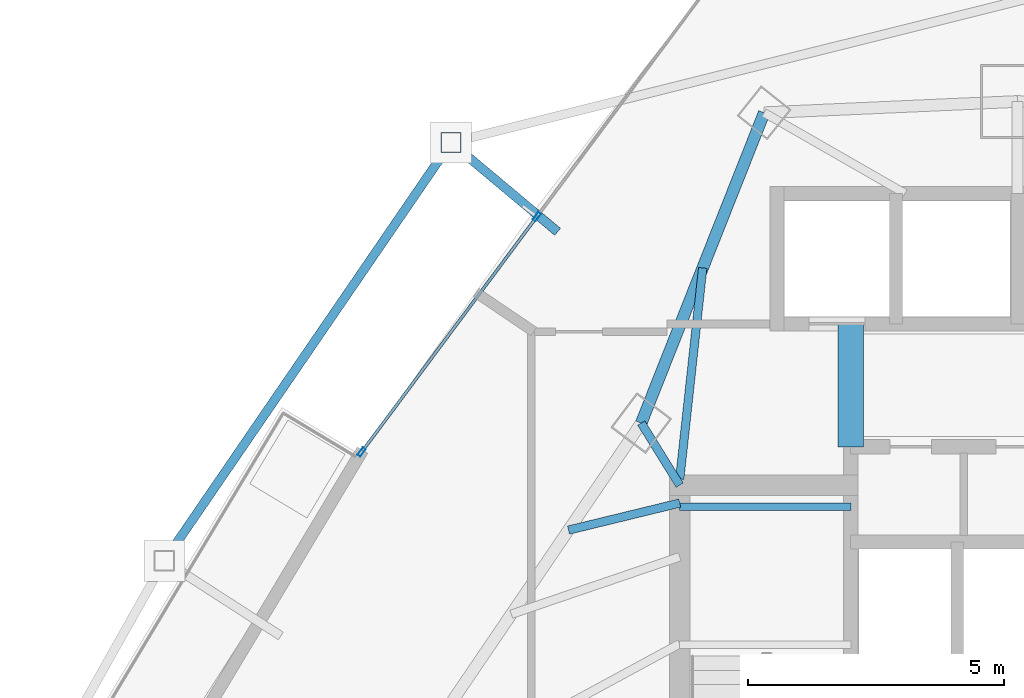
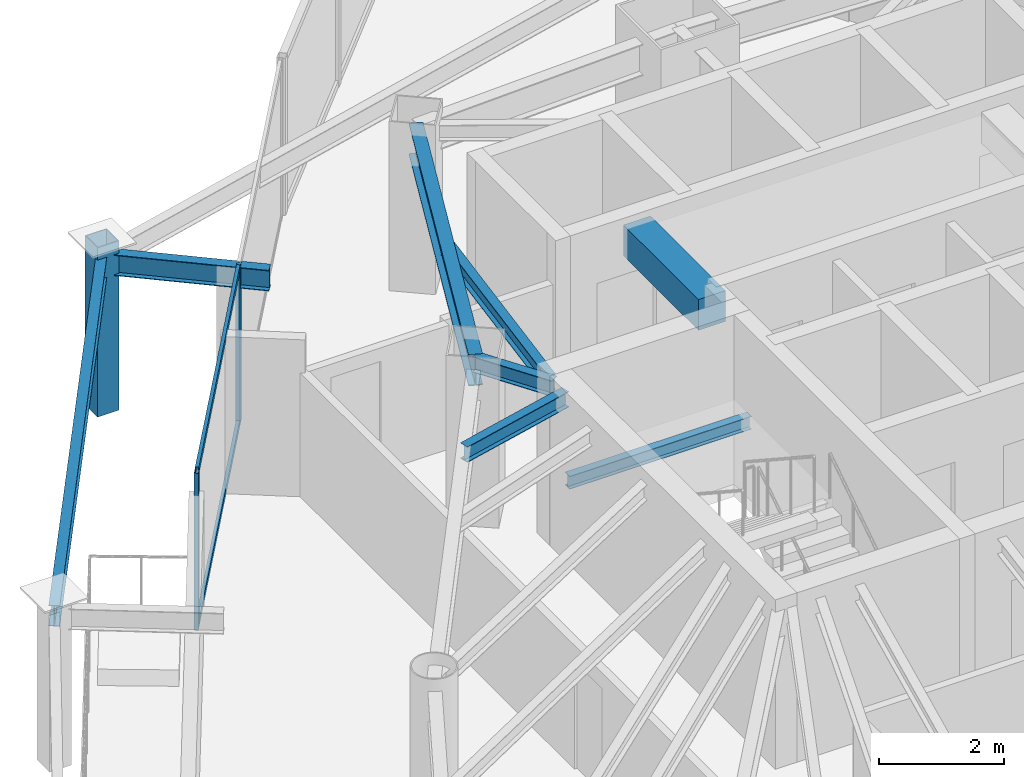
# One storey, part 20 of 33: 8 beams, 5 members, 1 element without a shape of its own.
"""IFC4 building model written with IfcOpenShell, lengths in metres."""

from ifc_helpers import new_model, si_unit, direction, frame, origin, origin_2d, place, context, subcontext, project, spatial, rectangle, hollow_rectangle, i_section, extrude, material, layer, layer_set, material_profile, profile_set, type_object, element, aggregate, save


model = new_model("IFC4")

# Units and contexts
model_context = context("Model", 3, precision=1e-05, world=origin(), true_north=direction((0.0, 1.0)))
body_context = subcontext(model_context, "Body", "Model", "MODEL_VIEW")
ifc_project = project(units=[si_unit("LENGTHUNIT", "METRE"), si_unit("AREAUNIT", "SQUARE_METRE"), si_unit("VOLUMEUNIT", "CUBIC_METRE"), si_unit("PLANEANGLEUNIT", "RADIAN"), si_unit("MASSUNIT", "GRAM", prefix="KILO")], contexts=[model_context])

# Site, building, storey
site_placement = place(None, origin())
site = spatial("IfcSite", under=ifc_project, at=site_placement, CompositionType="ELEMENT")
building_placement = place(site_placement, origin())
building = spatial("IfcBuilding", under=site, at=building_placement, Name="Orvanel Arch Residences", CompositionType="ELEMENT")
storey_placement = place(building_placement, frame((0.0, 0.0, 123.199951171875)))
storey = spatial("IfcBuildingStorey", under=building, at=storey_placement, Name="L34", CompositionType="ELEMENT", Elevation=123.199951171875)

# Beams
ifc_material_1 = material(Name="Structural steel AS/NZS 3679.1 Grade 300 (300 MPa)", Category="steel")
ifc_material_profile_1 = material_profile(ifc_material_1, i_section(OverallWidth=0.14599609375, OverallDepth=0.251953125, WebThickness=0.006103515625, FlangeThickness=0.008544921875, at=origin_2d()), Name="250UB31.4")
ifc_profile_set_1 = profile_set([ifc_material_profile_1], Name="Structural steel AS/NZS 3679.1 Grade 300 (300 MPa)")
beam_type_1 = type_object("IfcBeamType", Name="BJ-250UB", PredefinedType="JOIST", material=ifc_profile_set_1)
beam_1_placement = place(storey_placement, frame((26.39990234375, 33.47998046875, 1.323974609375), z_axis=(1.0, 0.0, 0.0), x_axis=(0.0, 1.0, 0.0)))
element("IfcBeam", 1, at=beam_1_placement, inside=storey, type_object=beam_type_1, Name="L34 ST-1 Half-Landing Support Beam 1.2", PredefinedType="JOIST", context=body_context, shape_type="SweptSolid", body=[
    extrude(i_section(OverallWidth=0.14599609375, OverallDepth=0.251953125, WebThickness=0.006103515625, FlangeThickness=0.008544921875, at=origin_2d()), origin(), (0.0, 0.0, 1.0), 3.35009765625),
])
ifc_material_profile_2 = material_profile(ifc_material_1, i_section(OverallWidth=0.1650390625, OverallDepth=0.303955078125, WebThickness=0.006103515625, FlangeThickness=0.01025390625, at=origin_2d()), Name="310UB40.4")
ifc_profile_set_2 = profile_set([ifc_material_profile_2], Name="Structural steel AS/NZS 3679.1 Grade 300 (300 MPa)")
beam_type_2 = type_object("IfcBeamType", Name="BJ-310UB", PredefinedType="JOIST", material=ifc_profile_set_2)
beam_2_placement = place(storey_placement, frame((26.39990234375, 33.89990234375, 2.907958984375), z_axis=(-0.526843290616, 0.84996243866, 0.0), x_axis=(-0.84996243866, -0.526843290616, 0.0)))
element("IfcBeam", 2, at=beam_2_placement, inside=storey, type_object=beam_type_2, Name="L34 NNW Wing Floor Joist", PredefinedType="JOIST", context=body_context, shape_type="SweptSolid", body=[
    extrude(i_section(OverallWidth=0.1650390625, OverallDepth=0.303955078125, WebThickness=0.006103515625, FlangeThickness=0.01025390625, at=origin_2d()), origin(), (0.0, 0.0, 1.0), 1.42724609375),
])
beam_3_placement = place(storey_placement, frame((26.39990234375, 34.02001953125, 2.907958984375), z_axis=(0.108261441852, 0.99412245735, 0.0), x_axis=(-0.99412245735, 0.108261441852, 0.0)))
element("IfcBeam", 3, at=beam_3_placement, inside=storey, type_object=beam_type_2, Name="L34 NNW2 Wing Floor Joist", PredefinedType="JOIST", context=body_context, shape_type="SweptSolid", body=[
    extrude(i_section(OverallWidth=0.1650390625, OverallDepth=0.303955078125, WebThickness=0.006103515625, FlangeThickness=0.01025390625, at=origin_2d()), origin(), (0.0, 0.0, 1.0), 4.1494140625),
])
beam_4_placement = place(storey_placement, frame((26.39990234375, 33.550048828125, 2.907958984375), z_axis=(-0.971638471014, -0.236471312521, 0.0), x_axis=(0.236471312521, -0.971638471014, 0.0)))
element("IfcBeam", 4, at=beam_4_placement, inside=storey, type_object=beam_type_2, Name="L34 JADD3 Wing Floor Joist", PredefinedType="JOIST", context=body_context, shape_type="SweptSolid", body=[
    extrude(i_section(OverallWidth=0.1650390625, OverallDepth=0.303955078125, WebThickness=0.006103515625, FlangeThickness=0.01025390625, at=origin_2d()), origin(), (0.0, 0.0, 1.0), 2.2373046875),
])
ifc_material_2 = material(Name="Concrete S65 (65 MPa)", Category="concrete")
ifc_material_profile_3 = material_profile(ifc_material_2, rectangle(XDim=0.5, YDim=0.60009765625, at=origin_2d()), Name="RC500x600")
ifc_profile_set_3 = profile_set([ifc_material_profile_3], Name="Concrete S65 (65 MPa)")
beam_type_3 = type_object("IfcBeamType", Name="CB-500x600", PredefinedType="LINTEL", material=ifc_profile_set_3)
beam_5_placement = place(storey_placement, frame((29.739990234375, 34.64990234375, 2.760009765625), z_axis=(0.0, 1.0, 0.0), x_axis=(-1.0, 0.0, 0.0)))
element("IfcBeam", 5, at=beam_5_placement, inside=storey, type_object=beam_type_3, Name="L34 West Core Lobby Coupling Lintel Beam", PredefinedType="LINTEL", context=body_context, shape_type="SweptSolid", body=[
    extrude(rectangle(XDim=0.5, YDim=0.60009765625, at=origin_2d()), origin(), (0.0, 0.0, 1.0), 2.400146484375),
])

# Curtain wall, members
ifc_material_3 = material(Name="Bronze-anodised aluminium AA6063-T6", Category="aluminium")
ifc_layer = layer(ifc_material_3, 0.179931640625)
ifc_layer_set = layer_set([ifc_layer], Name="Bronze-anodised aluminium AA6063-T6")
curtain_wall_type = type_object("IfcCurtainWallType", Name="CW3-MID-SYS", PredefinedType="NOTDEFINED", material=ifc_layer_set)
curtain_wall_placement = place(storey_placement, origin())
curtain_wall = element("IfcCurtainWall", 6, at=curtain_wall_placement, inside=storey, type_object=curtain_wall_type, Name="L34 CW3-MID-SYS Unitised Curtain Wall", PredefinedType="NOTDEFINED")
ifc_material_profile_4 = material_profile(ifc_material_3, hollow_rectangle(XDim=0.070068359375, YDim=0.179931640625, WallThickness=0.00439453125, at=origin_2d()), Name="ALU180x70x4.5")
ifc_profile_set_4 = profile_set([ifc_material_profile_4], Name="Bronze-anodised aluminium AA6063-T6")
member_type_1 = type_object("IfcMemberType", Name="MUL-180x70", PredefinedType="MULLION", material=ifc_profile_set_4)
member_1_placement = place(storey_placement, frame((23.607421875, 39.14599609375, 0.0), z_axis=(0.0, 0.0, 1.0), x_axis=(0.802116413742, -0.59716769739, 0.0)))
member_1 = element("IfcMember", 7, at=member_1_placement, type_object=member_type_1, Name="CW-S3 mullion 2", PredefinedType="MULLION", context=body_context, shape_type="SweptSolid", body=[
    extrude(hollow_rectangle(XDim=0.070068359375, YDim=0.179931640625, WallThickness=0.00439453125, at=origin_2d()), origin(), (0.0, 0.0, 1.0), 3.06005859375),
])
member_2_placement = place(storey_placement, frame((20.182861328125, 34.546142578125, 0.0), z_axis=(0.0, 0.0, 1.0), x_axis=(0.802116413742, -0.59716769739, 0.0)))
member_2 = element("IfcMember", 8, at=member_2_placement, type_object=member_type_1, Name="CW-S3 mullion 3", PredefinedType="MULLION", context=body_context, shape_type="SweptSolid", body=[
    extrude(hollow_rectangle(XDim=0.070068359375, YDim=0.179931640625, WallThickness=0.00439453125, at=origin_2d()), origin(), (0.0, 0.0, 1.0), 3.06005859375),
])

# Beams
ifc_material_profile_5 = material_profile(ifc_material_1, i_section(OverallWidth=0.177978515625, OverallDepth=0.406005859375, WebThickness=0.0078125, FlangeThickness=0.0126953125, at=origin_2d()), Name="410UB59.7")
ifc_profile_set_5 = profile_set([ifc_material_profile_5], Name="Structural steel AS/NZS 3679.1 Grade 300 (300 MPa)")
beam_type_4 = type_object("IfcBeamType", Name="OB-410UB-EXT", PredefinedType="SPANDREL", material=ifc_profile_set_5)
beam_6_placement = place(storey_placement, frame((24.012939453125, 38.85107421875, 2.85693359375), z_axis=(-0.766583833844, 0.642144240563, 0.0), x_axis=(-0.642144240563, -0.766583833844, 0.0)))
element("IfcBeam", 9, at=beam_6_placement, inside=storey, type_object=beam_type_4, Name="L34 Outer Frame Radial Tie Beam 01", PredefinedType="SPANDREL", context=body_context, shape_type="SweptSolid", body=[
    extrude(i_section(OverallWidth=0.177978515625, OverallDepth=0.406005859375, WebThickness=0.0078125, FlangeThickness=0.0126953125, at=origin_2d()), origin(), (0.0, 0.0, 1.0), 2.71728515625),
])
beam_7_placement = place(storey_placement, frame((21.929931640625, 40.595947265625, 2.85693359375), z_axis=(-0.565274592443, -0.824902803449, 0.0), x_axis=(0.824902803449, -0.565274592443, 0.0)))
element("IfcBeam", 10, at=beam_7_placement, inside=storey, type_object=beam_type_4, Name="L34 Outer Perimeter Floor Ring Beam 01", PredefinedType="SPANDREL", context=body_context, shape_type="SweptSolid", body=[
    extrude(i_section(OverallWidth=0.177978515625, OverallDepth=0.406005859375, WebThickness=0.0078125, FlangeThickness=0.0126953125, at=origin_2d()), origin(), (0.0, 0.0, 1.0), 9.910400390625),
])
ifc_material_profile_6 = material_profile(ifc_material_1, i_section(OverallWidth=0.22900390625, OverallDepth=0.612060546875, WebThickness=0.011962890625, FlangeThickness=0.01953125, at=origin_2d()), Name="610UB125")
ifc_profile_set_6 = profile_set([ifc_material_profile_6], Name="Structural steel AS/NZS 3679.1 Grade 300 (300 MPa)")
beam_type_5 = type_object("IfcBeamType", Name="SP-610UB", PredefinedType="SPANDREL", material=ifc_profile_set_6)
beam_8_placement = place(storey_placement, frame((28.050048828125, 41.177978515625, 2.754150390625), z_axis=(-0.368233143579, -0.929733484376, 0.0), x_axis=(0.929733484376, -0.368233143579, 0.0)))
element("IfcBeam", 11, at=beam_8_placement, inside=storey, type_object=beam_type_5, Name="L34 Perimeter Spandrel Beam 16", PredefinedType="SPANDREL", context=body_context, shape_type="SweptSolid", body=[
    extrude(i_section(OverallWidth=0.22900390625, OverallDepth=0.612060546875, WebThickness=0.011962890625, FlangeThickness=0.01953125, at=origin_2d()), origin(), (0.0, 0.0, 1.0), 6.523193359375),
])

# Member
ifc_material_4 = material(Name="Structural steel AS/NZS 1163 C450L0 (Grade 450)", Category="steel")
ifc_material_profile_7 = material_profile(ifc_material_4, hollow_rectangle(XDim=0.39990234375, YDim=0.39990234375, WallThickness=0.01611328125, at=origin_2d()), Name="SHS400x400x16")
ifc_profile_set_7 = profile_set([ifc_material_profile_7], Name="Structural steel AS/NZS 1163 C450L0 (Grade 450)")
member_type_2 = type_object("IfcMemberType", Name="ST-400SHS-EXT", PredefinedType="STRUT", material=ifc_profile_set_7)
member_3_placement = place(storey_placement, frame((21.929931640625, 40.595947265625, 0.0), z_axis=(0.0, 0.0, 1.0), x_axis=(1.0, 0.0, 0.0)))
element("IfcMember", 12, at=member_3_placement, inside=storey, type_object=member_type_2, Name="L34 Outer Perimeter Frame Post 01", PredefinedType="STRUT", context=body_context, shape_type="SweptSolid", body=[
    extrude(hollow_rectangle(XDim=0.39990234375, YDim=0.39990234375, WallThickness=0.01611328125, at=origin_2d()), origin(), (0.0, 0.0, 1.0), 3.300048828125),
])

ifc_material_profile_8 = material_profile(ifc_material_3, hollow_rectangle(XDim=0.06005859375, YDim=0.135009765625, WallThickness=0.00390625, at=origin_2d()), Name="ALU135x60x4")
ifc_profile_set_8 = profile_set([ifc_material_profile_8], Name="Bronze-anodised aluminium AA6063-T6")
member_type_3 = type_object("IfcMemberType", Name="TRN-135x60", PredefinedType="USERDEFINED", material=ifc_profile_set_8)
member_4_placement = place(storey_placement, frame((23.586669921875, 39.117919921875, 0.030029296875), z_axis=(-0.597175890933, -0.802110313666, 0.0), x_axis=(0.802110313666, -0.597175890933, 0.0)))
member_4 = element("IfcMember", 13, at=member_4_placement, type_object=member_type_3, Name="CW-S3 transom 2.1", ObjectType="TRANSOM", PredefinedType="USERDEFINED", context=body_context, shape_type="SweptSolid", body=[
    extrude(hollow_rectangle(XDim=0.06005859375, YDim=0.135009765625, WallThickness=0.00390625, at=origin_2d()), origin(), (0.0, 0.0, 1.0), 5.664794921875),
])

member_5_placement = place(storey_placement, frame((23.586669921875, 39.117919921875, 3.030029296875), z_axis=(-0.597175890933, -0.802110313666, 0.0), x_axis=(0.802110313666, -0.597175890933, 0.0)))
member_5 = element("IfcMember", 14, at=member_5_placement, type_object=member_type_3, Name="CW-S3 transom 2.2", ObjectType="TRANSOM", PredefinedType="USERDEFINED", context=body_context, shape_type="SweptSolid", body=[
    extrude(hollow_rectangle(XDim=0.06005859375, YDim=0.135009765625, WallThickness=0.00390625, at=origin_2d()), origin(), (0.0, 0.0, 1.0), 5.664794921875),
])

aggregate(curtain_wall, [member_1, member_2, member_4, member_5])

save(model, "model.ifc")
